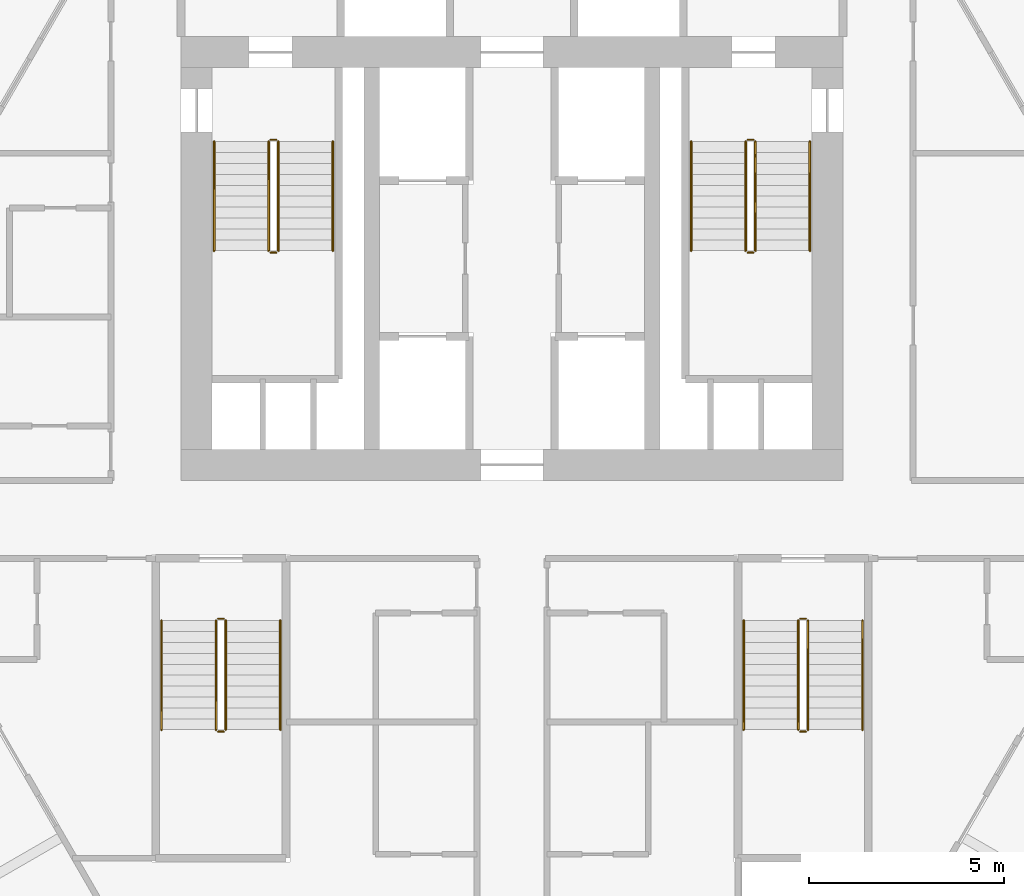
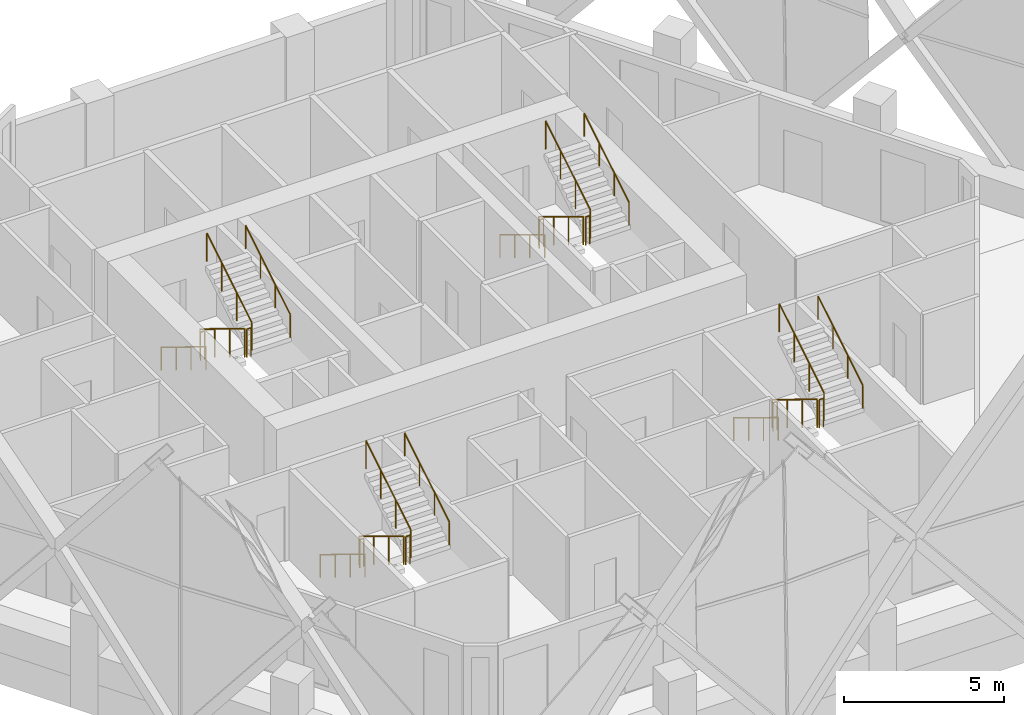
# One storey, part 19 of 19: 24 railings.
"""IFC4 building model written with IfcOpenShell, lengths in metres."""

from ifc_helpers import new_model, si_unit, direction, frame, origin, origin_2d, place, context, subcontext, project, spatial, circle, extrude, material, type_object, element, save


model = new_model("IFC4")

# Units and contexts
model_context = context("Model", 3, precision=1e-05, world=origin(), true_north=direction((0.0, 1.0)))
body_context = subcontext(model_context, "Body", "Model", "MODEL_VIEW")
ifc_project = project(units=[si_unit("LENGTHUNIT", "METRE"), si_unit("AREAUNIT", "SQUARE_METRE"), si_unit("VOLUMEUNIT", "CUBIC_METRE"), si_unit("PLANEANGLEUNIT", "RADIAN"), si_unit("MASSUNIT", "GRAM", prefix="KILO")], contexts=[model_context])

# Site, building, storey
site_placement = place(None, origin())
site = spatial("IfcSite", under=ifc_project, at=site_placement, CompositionType="ELEMENT")
building_placement = place(site_placement, origin())
building = spatial("IfcBuilding", under=site, at=building_placement, Name="Ostrander Bayou Hotel Tower", CompositionType="ELEMENT")
storey_placement = place(building_placement, frame((0.0, 0.0, 164.5)))
storey = spatial("IfcBuildingStorey", under=building, at=storey_placement, Name="L40", CompositionType="ELEMENT", Elevation=164.5)

# Railings
ifc_material_1 = material(Name="Steel ASTM A500 Gr C", Category="steel")
railing_type_1 = type_object("IfcRailingType", Name="GR1 stair guard 1100 mm steel", PredefinedType="GUARDRAIL", material=ifc_material_1)
railing_1_placement = place(storey_placement, frame((-6.25, 7.0, 0.17041015625)))
element("IfcRailing", 1, at=railing_1_placement, inside=storey, type_object=railing_type_1, Name="L40 STA stair guard 1", PredefinedType="GUARDRAIL", context=body_context, shape_type="SweptSolid", body=[
    extrude(circle(Radius=0.02392578125, at=origin_2d()), frame((0.0, 0.0, 1.076171875), z_axis=(0.0, -0.854169791009, 0.51999420009), x_axis=(1.0, 0.0, 0.0)), (0.0, 0.0, 1.0), 3.278076171875),
    extrude(circle(Radius=0.02099609375, at=origin_2d()), origin(), (0.0, 0.0, 1.0), 1.052001953125),
    extrude(circle(Radius=0.02099609375, at=origin_2d()), frame((0.0, -0.933349609375, 0.568115234375)), (0.0, 0.0, 1.0), 1.052001953125),
    extrude(circle(Radius=0.02099609375, at=origin_2d()), frame((0.0, -1.86669921875, 1.136474609375)), (0.0, 0.0, 1.0), 1.052001953125),
    extrude(circle(Radius=0.02099609375, at=origin_2d()), frame((0.0, -2.800048828125, 1.70458984375)), (0.0, 0.0, 1.0), 1.052001953125),
])
railing_2_placement = place(storey_placement, frame((-6.199951171875, 4.14990234375, 1.875)))
element("IfcRailing", 2, at=railing_2_placement, inside=storey, type_object=railing_type_1, Name="L40 STA stair guard 2", PredefinedType="GUARDRAIL", context=body_context, shape_type="SweptSolid", body=[
    extrude(circle(Radius=0.02392578125, at=origin_2d()), frame((0.0, 0.0, 1.076171875), z_axis=(1.0, 0.0, 0.0), x_axis=(0.0, 1.0, 0.0)), (0.0, 0.0, 1.0), 0.14990234375),
    extrude(circle(Radius=0.02099609375, at=origin_2d()), origin(), (0.0, 0.0, 1.0), 1.052001953125),
    extrude(circle(Radius=0.02099609375, at=origin_2d()), frame((0.14990234375, 0.0, 0.0)), (0.0, 0.0, 1.0), 1.052001953125),
])
railing_3_placement = place(storey_placement, frame((-6.0, 4.199951171875, 2.04541015625)))
element("IfcRailing", 3, at=railing_3_placement, inside=storey, type_object=railing_type_1, Name="L40 STA stair guard 3", PredefinedType="GUARDRAIL", context=body_context, shape_type="SweptSolid", body=[
    extrude(circle(Radius=0.02392578125, at=origin_2d()), frame((0.0, 0.0, 1.076171875), z_axis=(0.0, 0.854169791009, 0.51999420009), x_axis=(-1.0, 0.0, 0.0)), (0.0, 0.0, 1.0), 3.278076171875),
    extrude(circle(Radius=0.02099609375, at=origin_2d()), origin(), (0.0, 0.0, 1.0), 1.052001953125),
    extrude(circle(Radius=0.02099609375, at=origin_2d()), frame((0.0, 0.933349609375, 0.568115234375)), (0.0, 0.0, 1.0), 1.052001953125),
    extrude(circle(Radius=0.02099609375, at=origin_2d()), frame((0.0, 1.86669921875, 1.136474609375)), (0.0, 0.0, 1.0), 1.052001953125),
    extrude(circle(Radius=0.02099609375, at=origin_2d()), frame((0.0, 2.800048828125, 1.70458984375)), (0.0, 0.0, 1.0), 1.052001953125),
])
railing_4_placement = place(storey_placement, frame((-6.199951171875, 7.050048828125, 0.0)))
element("IfcRailing", 4, at=railing_4_placement, inside=storey, type_object=railing_type_1, Name="L40 STA stair guard 4", PredefinedType="GUARDRAIL", context=body_context, shape_type="SweptSolid", body=[
    extrude(circle(Radius=0.02392578125, at=origin_2d()), frame((0.0, 0.0, 1.076171875), z_axis=(1.0, 0.0, 0.0), x_axis=(0.0, 1.0, 0.0)), (0.0, 0.0, 1.0), 0.14990234375),
    extrude(circle(Radius=0.02099609375, at=origin_2d()), origin(), (0.0, 0.0, 1.0), 1.052001953125),
    extrude(circle(Radius=0.02099609375, at=origin_2d()), frame((0.14990234375, 0.0, 0.0)), (0.0, 0.0, 1.0), 1.052001953125),
])
railing_5_placement = place(storey_placement, frame((6.0, 7.0, 0.17041015625)))
element("IfcRailing", 5, at=railing_5_placement, inside=storey, type_object=railing_type_1, Name="L40 STB stair guard 1", PredefinedType="GUARDRAIL", context=body_context, shape_type="SweptSolid", body=[
    extrude(circle(Radius=0.02392578125, at=origin_2d()), frame((0.0, 0.0, 1.076171875), z_axis=(0.0, -0.854169791009, 0.51999420009), x_axis=(1.0, 0.0, 0.0)), (0.0, 0.0, 1.0), 3.278076171875),
    extrude(circle(Radius=0.02099609375, at=origin_2d()), origin(), (0.0, 0.0, 1.0), 1.052001953125),
    extrude(circle(Radius=0.02099609375, at=origin_2d()), frame((0.0, -0.933349609375, 0.568115234375)), (0.0, 0.0, 1.0), 1.052001953125),
    extrude(circle(Radius=0.02099609375, at=origin_2d()), frame((0.0, -1.86669921875, 1.136474609375)), (0.0, 0.0, 1.0), 1.052001953125),
    extrude(circle(Radius=0.02099609375, at=origin_2d()), frame((0.0, -2.800048828125, 1.70458984375)), (0.0, 0.0, 1.0), 1.052001953125),
])
railing_6_placement = place(storey_placement, frame((6.050048828125, 4.14990234375, 1.875)))
element("IfcRailing", 6, at=railing_6_placement, inside=storey, type_object=railing_type_1, Name="L40 STB stair guard 2", PredefinedType="GUARDRAIL", context=body_context, shape_type="SweptSolid", body=[
    extrude(circle(Radius=0.02392578125, at=origin_2d()), frame((0.0, 0.0, 1.076171875), z_axis=(1.0, 0.0, 0.0), x_axis=(0.0, 1.0, 0.0)), (0.0, 0.0, 1.0), 0.14990234375),
    extrude(circle(Radius=0.02099609375, at=origin_2d()), origin(), (0.0, 0.0, 1.0), 1.052001953125),
    extrude(circle(Radius=0.02099609375, at=origin_2d()), frame((0.14990234375, 0.0, 0.0)), (0.0, 0.0, 1.0), 1.052001953125),
])
railing_7_placement = place(storey_placement, frame((6.25, 4.199951171875, 2.04541015625)))
element("IfcRailing", 7, at=railing_7_placement, inside=storey, type_object=railing_type_1, Name="L40 STB stair guard 3", PredefinedType="GUARDRAIL", context=body_context, shape_type="SweptSolid", body=[
    extrude(circle(Radius=0.02392578125, at=origin_2d()), frame((0.0, 0.0, 1.076171875), z_axis=(0.0, 0.854169791009, 0.51999420009), x_axis=(-1.0, 0.0, 0.0)), (0.0, 0.0, 1.0), 3.278076171875),
    extrude(circle(Radius=0.02099609375, at=origin_2d()), origin(), (0.0, 0.0, 1.0), 1.052001953125),
    extrude(circle(Radius=0.02099609375, at=origin_2d()), frame((0.0, 0.933349609375, 0.568115234375)), (0.0, 0.0, 1.0), 1.052001953125),
    extrude(circle(Radius=0.02099609375, at=origin_2d()), frame((0.0, 1.86669921875, 1.136474609375)), (0.0, 0.0, 1.0), 1.052001953125),
    extrude(circle(Radius=0.02099609375, at=origin_2d()), frame((0.0, 2.800048828125, 1.70458984375)), (0.0, 0.0, 1.0), 1.052001953125),
])
railing_8_placement = place(storey_placement, frame((6.050048828125, 7.050048828125, 0.0)))
element("IfcRailing", 8, at=railing_8_placement, inside=storey, type_object=railing_type_1, Name="L40 STB stair guard 4", PredefinedType="GUARDRAIL", context=body_context, shape_type="SweptSolid", body=[
    extrude(circle(Radius=0.02392578125, at=origin_2d()), frame((0.0, 0.0, 1.076171875), z_axis=(1.0, 0.0, 0.0), x_axis=(0.0, 1.0, 0.0)), (0.0, 0.0, 1.0), 0.14990234375),
    extrude(circle(Radius=0.02099609375, at=origin_2d()), origin(), (0.0, 0.0, 1.0), 1.052001953125),
    extrude(circle(Radius=0.02099609375, at=origin_2d()), frame((0.14990234375, 0.0, 0.0)), (0.0, 0.0, 1.0), 1.052001953125),
])
railing_9_placement = place(storey_placement, frame((7.35009765625, -5.300048828125, 0.17041015625)))
element("IfcRailing", 9, at=railing_9_placement, inside=storey, type_object=railing_type_1, Name="L40 STC stair guard 1", PredefinedType="GUARDRAIL", context=body_context, shape_type="SweptSolid", body=[
    extrude(circle(Radius=0.02392578125, at=origin_2d()), frame((0.0, 0.0, 1.076171875), z_axis=(0.0, -0.854169791009, 0.51999420009), x_axis=(1.0, 0.0, 0.0)), (0.0, 0.0, 1.0), 3.278076171875),
    extrude(circle(Radius=0.02099609375, at=origin_2d()), origin(), (0.0, 0.0, 1.0), 1.052001953125),
    extrude(circle(Radius=0.02099609375, at=origin_2d()), frame((0.0, -0.933349609375, 0.568115234375)), (0.0, 0.0, 1.0), 1.052001953125),
    extrude(circle(Radius=0.02099609375, at=origin_2d()), frame((0.0, -1.86669921875, 1.136474609375)), (0.0, 0.0, 1.0), 1.052001953125),
    extrude(circle(Radius=0.02099609375, at=origin_2d()), frame((0.0, -2.800048828125, 1.70458984375)), (0.0, 0.0, 1.0), 1.052001953125),
])
railing_10_placement = place(storey_placement, frame((7.39990234375, -8.14990234375, 1.875)))
element("IfcRailing", 10, at=railing_10_placement, inside=storey, type_object=railing_type_1, Name="L40 STC stair guard 2", PredefinedType="GUARDRAIL", context=body_context, shape_type="SweptSolid", body=[
    extrude(circle(Radius=0.02392578125, at=origin_2d()), frame((0.0, 0.0, 1.076171875), z_axis=(1.0, 0.0, 0.0), x_axis=(0.0, 1.0, 0.0)), (0.0, 0.0, 1.0), 0.150146484375),
    extrude(circle(Radius=0.02099609375, at=origin_2d()), origin(), (0.0, 0.0, 1.0), 1.052001953125),
    extrude(circle(Radius=0.02099609375, at=origin_2d()), frame((0.150146484375, 0.0, 0.0)), (0.0, 0.0, 1.0), 1.052001953125),
])
railing_11_placement = place(storey_placement, frame((7.60009765625, -8.10009765625, 2.04541015625)))
element("IfcRailing", 11, at=railing_11_placement, inside=storey, type_object=railing_type_1, Name="L40 STC stair guard 3", PredefinedType="GUARDRAIL", context=body_context, shape_type="SweptSolid", body=[
    extrude(circle(Radius=0.02392578125, at=origin_2d()), frame((0.0, 0.0, 1.076171875), z_axis=(0.0, 0.854169791009, 0.51999420009), x_axis=(-1.0, 0.0, 0.0)), (0.0, 0.0, 1.0), 3.278076171875),
    extrude(circle(Radius=0.02099609375, at=origin_2d()), origin(), (0.0, 0.0, 1.0), 1.052001953125),
    extrude(circle(Radius=0.02099609375, at=origin_2d()), frame((0.0, 0.933349609375, 0.568115234375)), (0.0, 0.0, 1.0), 1.052001953125),
    extrude(circle(Radius=0.02099609375, at=origin_2d()), frame((0.0, 1.86669921875, 1.136474609375)), (0.0, 0.0, 1.0), 1.052001953125),
    extrude(circle(Radius=0.02099609375, at=origin_2d()), frame((0.0, 2.800048828125, 1.70458984375)), (0.0, 0.0, 1.0), 1.052001953125),
])
railing_12_placement = place(storey_placement, frame((7.39990234375, -5.25, 0.0)))
element("IfcRailing", 12, at=railing_12_placement, inside=storey, type_object=railing_type_1, Name="L40 STC stair guard 4", PredefinedType="GUARDRAIL", context=body_context, shape_type="SweptSolid", body=[
    extrude(circle(Radius=0.02392578125, at=origin_2d()), frame((0.0, 0.0, 1.076171875), z_axis=(1.0, 0.0, 0.0), x_axis=(0.0, 1.0, 0.0)), (0.0, 0.0, 1.0), 0.150146484375),
    extrude(circle(Radius=0.02099609375, at=origin_2d()), origin(), (0.0, 0.0, 1.0), 1.052001953125),
    extrude(circle(Radius=0.02099609375, at=origin_2d()), frame((0.150146484375, 0.0, 0.0)), (0.0, 0.0, 1.0), 1.052001953125),
])
railing_13_placement = place(storey_placement, frame((-7.60009765625, -5.300048828125, 0.17041015625)))
element("IfcRailing", 13, at=railing_13_placement, inside=storey, type_object=railing_type_1, Name="L40 STD stair guard 1", PredefinedType="GUARDRAIL", context=body_context, shape_type="SweptSolid", body=[
    extrude(circle(Radius=0.02392578125, at=origin_2d()), frame((0.0, 0.0, 1.076171875), z_axis=(0.0, -0.854169791009, 0.51999420009), x_axis=(1.0, 0.0, 0.0)), (0.0, 0.0, 1.0), 3.278076171875),
    extrude(circle(Radius=0.02099609375, at=origin_2d()), origin(), (0.0, 0.0, 1.0), 1.052001953125),
    extrude(circle(Radius=0.02099609375, at=origin_2d()), frame((0.0, -0.933349609375, 0.568115234375)), (0.0, 0.0, 1.0), 1.052001953125),
    extrude(circle(Radius=0.02099609375, at=origin_2d()), frame((0.0, -1.86669921875, 1.136474609375)), (0.0, 0.0, 1.0), 1.052001953125),
    extrude(circle(Radius=0.02099609375, at=origin_2d()), frame((0.0, -2.800048828125, 1.70458984375)), (0.0, 0.0, 1.0), 1.052001953125),
])
railing_14_placement = place(storey_placement, frame((-7.550048828125, -8.14990234375, 1.875)))
element("IfcRailing", 14, at=railing_14_placement, inside=storey, type_object=railing_type_1, Name="L40 STD stair guard 2", PredefinedType="GUARDRAIL", context=body_context, shape_type="SweptSolid", body=[
    extrude(circle(Radius=0.02392578125, at=origin_2d()), frame((0.0, 0.0, 1.076171875), z_axis=(1.0, 0.0, 0.0), x_axis=(0.0, 1.0, 0.0)), (0.0, 0.0, 1.0), 0.150146484375),
    extrude(circle(Radius=0.02099609375, at=origin_2d()), origin(), (0.0, 0.0, 1.0), 1.052001953125),
    extrude(circle(Radius=0.02099609375, at=origin_2d()), frame((0.150146484375, 0.0, 0.0)), (0.0, 0.0, 1.0), 1.052001953125),
])
railing_15_placement = place(storey_placement, frame((-7.35009765625, -8.10009765625, 2.04541015625)))
element("IfcRailing", 15, at=railing_15_placement, inside=storey, type_object=railing_type_1, Name="L40 STD stair guard 3", PredefinedType="GUARDRAIL", context=body_context, shape_type="SweptSolid", body=[
    extrude(circle(Radius=0.02392578125, at=origin_2d()), frame((0.0, 0.0, 1.076171875), z_axis=(0.0, 0.854169791009, 0.51999420009), x_axis=(-1.0, 0.0, 0.0)), (0.0, 0.0, 1.0), 3.278076171875),
    extrude(circle(Radius=0.02099609375, at=origin_2d()), origin(), (0.0, 0.0, 1.0), 1.052001953125),
    extrude(circle(Radius=0.02099609375, at=origin_2d()), frame((0.0, 0.933349609375, 0.568115234375)), (0.0, 0.0, 1.0), 1.052001953125),
    extrude(circle(Radius=0.02099609375, at=origin_2d()), frame((0.0, 1.86669921875, 1.136474609375)), (0.0, 0.0, 1.0), 1.052001953125),
    extrude(circle(Radius=0.02099609375, at=origin_2d()), frame((0.0, 2.800048828125, 1.70458984375)), (0.0, 0.0, 1.0), 1.052001953125),
])
railing_16_placement = place(storey_placement, frame((-7.550048828125, -5.25, 0.0)))
element("IfcRailing", 16, at=railing_16_placement, inside=storey, type_object=railing_type_1, Name="L40 STD stair guard 4", PredefinedType="GUARDRAIL", context=body_context, shape_type="SweptSolid", body=[
    extrude(circle(Radius=0.02392578125, at=origin_2d()), frame((0.0, 0.0, 1.076171875), z_axis=(1.0, 0.0, 0.0), x_axis=(0.0, 1.0, 0.0)), (0.0, 0.0, 1.0), 0.150146484375),
    extrude(circle(Radius=0.02099609375, at=origin_2d()), origin(), (0.0, 0.0, 1.0), 1.052001953125),
    extrude(circle(Radius=0.02099609375, at=origin_2d()), frame((0.150146484375, 0.0, 0.0)), (0.0, 0.0, 1.0), 1.052001953125),
])
ifc_material_2 = material(Name="Steel ASTM A500 Gr C", Category="steel")
railing_type_2 = type_object("IfcRailingType", Name="HR1 stair handrail 900 mm steel", PredefinedType="HANDRAIL", material=ifc_material_2)
railing_17_placement = place(storey_placement, frame((-7.64990234375, 7.0, 0.17041015625)))
element("IfcRailing", 17, at=railing_17_placement, inside=storey, type_object=railing_type_2, Name="L40 STA stair handrail 1", PredefinedType="HANDRAIL", context=body_context, shape_type="SweptSolid", body=[
    extrude(circle(Radius=0.02392578125, at=origin_2d()), frame((0.0, 0.0, 0.8759765625), z_axis=(0.0, -0.854169791009, 0.51999420009), x_axis=(1.0, 0.0, 0.0)), (0.0, 0.0, 1.0), 3.278076171875),
    extrude(circle(Radius=0.02099609375, at=origin_2d()), origin(), (0.0, 0.0, 1.0), 0.851806640625),
    extrude(circle(Radius=0.02099609375, at=origin_2d()), frame((0.0, -0.933349609375, 0.568115234375)), (0.0, 0.0, 1.0), 0.851806640625),
    extrude(circle(Radius=0.02099609375, at=origin_2d()), frame((0.0, -1.86669921875, 1.136474609375)), (0.0, 0.0, 1.0), 0.851806640625),
    extrude(circle(Radius=0.02099609375, at=origin_2d()), frame((0.0, -2.800048828125, 1.70458984375)), (0.0, 0.0, 1.0), 0.851806640625),
])
railing_18_placement = place(storey_placement, frame((-4.60009765625, 4.199951171875, 2.04541015625)))
element("IfcRailing", 18, at=railing_18_placement, inside=storey, type_object=railing_type_2, Name="L40 STA stair handrail 2", PredefinedType="HANDRAIL", context=body_context, shape_type="SweptSolid", body=[
    extrude(circle(Radius=0.02392578125, at=origin_2d()), frame((0.0, 0.0, 0.8759765625), z_axis=(0.0, 0.854169791009, 0.51999420009), x_axis=(-1.0, 0.0, 0.0)), (0.0, 0.0, 1.0), 3.278076171875),
    extrude(circle(Radius=0.02099609375, at=origin_2d()), origin(), (0.0, 0.0, 1.0), 0.851806640625),
    extrude(circle(Radius=0.02099609375, at=origin_2d()), frame((0.0, 0.933349609375, 0.568115234375)), (0.0, 0.0, 1.0), 0.851806640625),
    extrude(circle(Radius=0.02099609375, at=origin_2d()), frame((0.0, 1.86669921875, 1.136474609375)), (0.0, 0.0, 1.0), 0.851806640625),
    extrude(circle(Radius=0.02099609375, at=origin_2d()), frame((0.0, 2.800048828125, 1.70458984375)), (0.0, 0.0, 1.0), 0.851806640625),
])
railing_19_placement = place(storey_placement, frame((4.60009765625, 7.0, 0.17041015625)))
element("IfcRailing", 19, at=railing_19_placement, inside=storey, type_object=railing_type_2, Name="L40 STB stair handrail 1", PredefinedType="HANDRAIL", context=body_context, shape_type="SweptSolid", body=[
    extrude(circle(Radius=0.02392578125, at=origin_2d()), frame((0.0, 0.0, 0.8759765625), z_axis=(0.0, -0.854169791009, 0.51999420009), x_axis=(1.0, 0.0, 0.0)), (0.0, 0.0, 1.0), 3.278076171875),
    extrude(circle(Radius=0.02099609375, at=origin_2d()), origin(), (0.0, 0.0, 1.0), 0.851806640625),
    extrude(circle(Radius=0.02099609375, at=origin_2d()), frame((0.0, -0.933349609375, 0.568115234375)), (0.0, 0.0, 1.0), 0.851806640625),
    extrude(circle(Radius=0.02099609375, at=origin_2d()), frame((0.0, -1.86669921875, 1.136474609375)), (0.0, 0.0, 1.0), 0.851806640625),
    extrude(circle(Radius=0.02099609375, at=origin_2d()), frame((0.0, -2.800048828125, 1.70458984375)), (0.0, 0.0, 1.0), 0.851806640625),
])
railing_20_placement = place(storey_placement, frame((7.64990234375, 4.199951171875, 2.04541015625)))
element("IfcRailing", 20, at=railing_20_placement, inside=storey, type_object=railing_type_2, Name="L40 STB stair handrail 2", PredefinedType="HANDRAIL", context=body_context, shape_type="SweptSolid", body=[
    extrude(circle(Radius=0.02392578125, at=origin_2d()), frame((0.0, 0.0, 0.8759765625), z_axis=(0.0, 0.854169791009, 0.51999420009), x_axis=(-1.0, 0.0, 0.0)), (0.0, 0.0, 1.0), 3.278076171875),
    extrude(circle(Radius=0.02099609375, at=origin_2d()), origin(), (0.0, 0.0, 1.0), 0.851806640625),
    extrude(circle(Radius=0.02099609375, at=origin_2d()), frame((0.0, 0.933349609375, 0.568115234375)), (0.0, 0.0, 1.0), 0.851806640625),
    extrude(circle(Radius=0.02099609375, at=origin_2d()), frame((0.0, 1.86669921875, 1.136474609375)), (0.0, 0.0, 1.0), 0.851806640625),
    extrude(circle(Radius=0.02099609375, at=origin_2d()), frame((0.0, 2.800048828125, 1.70458984375)), (0.0, 0.0, 1.0), 0.851806640625),
])
railing_21_placement = place(storey_placement, frame((5.949951171875, -5.300048828125, 0.17041015625)))
element("IfcRailing", 21, at=railing_21_placement, inside=storey, type_object=railing_type_2, Name="L40 STC stair handrail 1", PredefinedType="HANDRAIL", context=body_context, shape_type="SweptSolid", body=[
    extrude(circle(Radius=0.02392578125, at=origin_2d()), frame((0.0, 0.0, 0.8759765625), z_axis=(0.0, -0.854169791009, 0.51999420009), x_axis=(1.0, 0.0, 0.0)), (0.0, 0.0, 1.0), 3.278076171875),
    extrude(circle(Radius=0.02099609375, at=origin_2d()), origin(), (0.0, 0.0, 1.0), 0.851806640625),
    extrude(circle(Radius=0.02099609375, at=origin_2d()), frame((0.0, -0.933349609375, 0.568115234375)), (0.0, 0.0, 1.0), 0.851806640625),
    extrude(circle(Radius=0.02099609375, at=origin_2d()), frame((0.0, -1.86669921875, 1.136474609375)), (0.0, 0.0, 1.0), 0.851806640625),
    extrude(circle(Radius=0.02099609375, at=origin_2d()), frame((0.0, -2.800048828125, 1.70458984375)), (0.0, 0.0, 1.0), 0.851806640625),
])
railing_22_placement = place(storey_placement, frame((9.0, -8.10009765625, 2.04541015625)))
element("IfcRailing", 22, at=railing_22_placement, inside=storey, type_object=railing_type_2, Name="L40 STC stair handrail 2", PredefinedType="HANDRAIL", context=body_context, shape_type="SweptSolid", body=[
    extrude(circle(Radius=0.02392578125, at=origin_2d()), frame((0.0, 0.0, 0.8759765625), z_axis=(0.0, 0.854169791009, 0.51999420009), x_axis=(-1.0, 0.0, 0.0)), (0.0, 0.0, 1.0), 3.278076171875),
    extrude(circle(Radius=0.02099609375, at=origin_2d()), origin(), (0.0, 0.0, 1.0), 0.851806640625),
    extrude(circle(Radius=0.02099609375, at=origin_2d()), frame((0.0, 0.933349609375, 0.568115234375)), (0.0, 0.0, 1.0), 0.851806640625),
    extrude(circle(Radius=0.02099609375, at=origin_2d()), frame((0.0, 1.86669921875, 1.136474609375)), (0.0, 0.0, 1.0), 0.851806640625),
    extrude(circle(Radius=0.02099609375, at=origin_2d()), frame((0.0, 2.800048828125, 1.70458984375)), (0.0, 0.0, 1.0), 0.851806640625),
])
railing_23_placement = place(storey_placement, frame((-9.0, -5.300048828125, 0.17041015625)))
element("IfcRailing", 23, at=railing_23_placement, inside=storey, type_object=railing_type_2, Name="L40 STD stair handrail 1", PredefinedType="HANDRAIL", context=body_context, shape_type="SweptSolid", body=[
    extrude(circle(Radius=0.02392578125, at=origin_2d()), frame((0.0, 0.0, 0.8759765625), z_axis=(0.0, -0.854169791009, 0.51999420009), x_axis=(1.0, 0.0, 0.0)), (0.0, 0.0, 1.0), 3.278076171875),
    extrude(circle(Radius=0.02099609375, at=origin_2d()), origin(), (0.0, 0.0, 1.0), 0.851806640625),
    extrude(circle(Radius=0.02099609375, at=origin_2d()), frame((0.0, -0.933349609375, 0.568115234375)), (0.0, 0.0, 1.0), 0.851806640625),
    extrude(circle(Radius=0.02099609375, at=origin_2d()), frame((0.0, -1.86669921875, 1.136474609375)), (0.0, 0.0, 1.0), 0.851806640625),
    extrude(circle(Radius=0.02099609375, at=origin_2d()), frame((0.0, -2.800048828125, 1.70458984375)), (0.0, 0.0, 1.0), 0.851806640625),
])
railing_24_placement = place(storey_placement, frame((-5.949951171875, -8.10009765625, 2.04541015625)))
element("IfcRailing", 24, at=railing_24_placement, inside=storey, type_object=railing_type_2, Name="L40 STD stair handrail 2", PredefinedType="HANDRAIL", context=body_context, shape_type="SweptSolid", body=[
    extrude(circle(Radius=0.02392578125, at=origin_2d()), frame((0.0, 0.0, 0.8759765625), z_axis=(0.0, 0.854169791009, 0.51999420009), x_axis=(-1.0, 0.0, 0.0)), (0.0, 0.0, 1.0), 3.278076171875),
    extrude(circle(Radius=0.02099609375, at=origin_2d()), origin(), (0.0, 0.0, 1.0), 0.851806640625),
    extrude(circle(Radius=0.02099609375, at=origin_2d()), frame((0.0, 0.933349609375, 0.568115234375)), (0.0, 0.0, 1.0), 0.851806640625),
    extrude(circle(Radius=0.02099609375, at=origin_2d()), frame((0.0, 1.86669921875, 1.136474609375)), (0.0, 0.0, 1.0), 0.851806640625),
    extrude(circle(Radius=0.02099609375, at=origin_2d()), frame((0.0, 2.800048828125, 1.70458984375)), (0.0, 0.0, 1.0), 0.851806640625),
])

save(model, "model.ifc")
